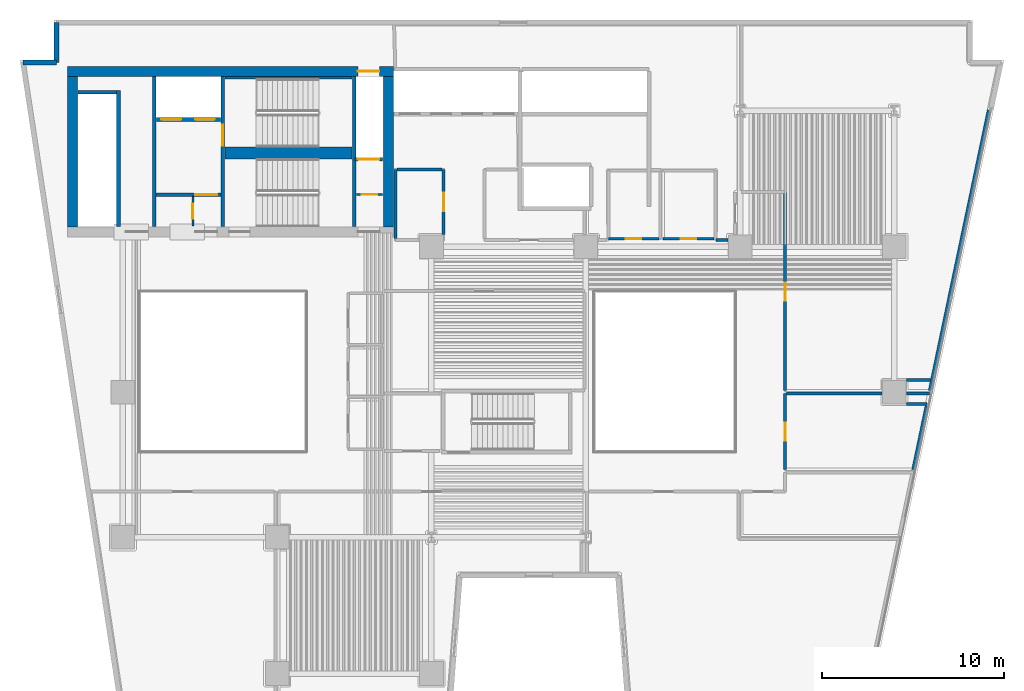
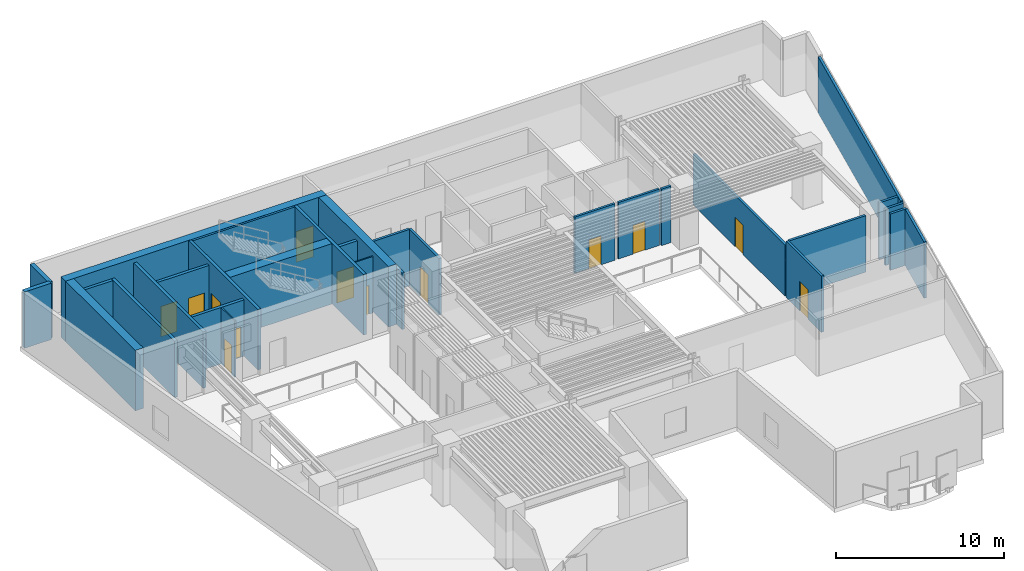
# One storey, part 5 of 12: 31 walls, 13 doors, 13 openings.
"""IFC4 building model written with IfcOpenShell, lengths in metres."""

from ifc_helpers import new_model, si_unit, direction, frame, frame_2d, origin, place, context, subcontext, project, spatial, rectangle, extrude, material, layer, layer_set, type_object, element, fill, save


model = new_model("IFC4")

# Units and contexts
model_context = context("Model", 3, precision=1e-05, world=origin(), true_north=direction((0.0, 1.0)))
body_context = subcontext(model_context, "Body", "Model", "MODEL_VIEW")
ifc_project = project(units=[si_unit("LENGTHUNIT", "METRE"), si_unit("AREAUNIT", "SQUARE_METRE"), si_unit("VOLUMEUNIT", "CUBIC_METRE"), si_unit("PLANEANGLEUNIT", "RADIAN"), si_unit("MASSUNIT", "GRAM", prefix="KILO")], contexts=[model_context])

# Site, building, storey
site_placement = place(None, origin())
site = spatial("IfcSite", under=ifc_project, at=site_placement, CompositionType="ELEMENT")
building_placement = place(site_placement, origin())
building = spatial("IfcBuilding", under=site, at=building_placement, Name="Caeloran Harvest Quay", CompositionType="ELEMENT")
storey_placement = place(building_placement, frame((0.0, 0.0, 31.39990234375)))
storey = spatial("IfcBuildingStorey", under=building, at=storey_placement, Name="L07", CompositionType="ELEMENT", Elevation=31.39990234375)

# Walls
ifc_material_1 = material(Name="Precast concrete C50/60", Category="concrete")
ifc_layer_1 = layer(ifc_material_1, 0.280029296875, Name="Precast concrete C50/60")
ifc_layer_set_1 = layer_set([ifc_layer_1], Name="Precast concrete C50/60")
wall_type_1 = type_object("IfcWallType", Name="ENV-WALL-EW-280", PredefinedType="STANDARD", material=ifc_layer_set_1)
wall_1_placement = place(storey_placement, frame((2.99755859375, 41.159912109375, 0.0), z_axis=(0.0, 0.0, 1.0), x_axis=(1.0, 0.0, 0.0)))
element("IfcWall", 1, at=wall_1_placement, inside=storey, type_object=wall_type_1, Name="L07 Exterior Precast Concrete Facade Wall 4", PredefinedType="STANDARD", context=body_context, shape_type="SweptSolid", body=[
    extrude(rectangle(XDim=1.842529296875, YDim=0.280029296875, at=frame_2d((0.92138671875, 0.0))), origin(), (0.0, 0.0, 1.0), 4.10009765625),
])
wall_2_placement = place(storey_placement, frame((4.840087890625, 41.159912109375, 0.0), z_axis=(0.0, 0.0, 1.0), x_axis=(0.0, 1.0, 0.0)))
element("IfcWall", 2, at=wall_2_placement, inside=storey, type_object=wall_type_1, Name="L07 Exterior Precast Concrete Facade Wall 5", PredefinedType="STANDARD", context=body_context, shape_type="SweptSolid", body=[
    extrude(rectangle(XDim=2.2001953125, YDim=0.280029296875, at=frame_2d((1.10009765625, 0.0))), origin(), (0.0, 0.0, 1.0), 4.10009765625),
])

# Wall, opening, door
ifc_material_2 = material(Name="Fire-Resisting Gypsum Core Riser Partition", Category="gypsum")
ifc_layer_2 = layer(ifc_material_2, 0.10009765625, Name="Fire-Resisting Gypsum Core Riser Partition")
ifc_layer_set_2 = layer_set([ifc_layer_2], Name="Fire-Resisting Gypsum Core Riser Partition")
wall_type_2 = type_object("IfcWallType", Name="INT-WALL-PW-100", PredefinedType="PARTITIONING", material=ifc_layer_set_2)
wall_3_placement = place(storey_placement, frame((12.360107421875, 32.159912109375, 0.0), z_axis=(0.0, 0.0, 1.0), x_axis=(0.0, 1.0, 0.0)))
wall_3 = element("IfcWall", 3, at=wall_3_placement, inside=storey, type_object=wall_type_2, Name="L07 Core Store Partition Wall", PredefinedType="PARTITIONING", context=body_context, shape_type="SweptSolid", body=[
    extrude(rectangle(XDim=1.6201171875, YDim=0.10009765625, at=frame_2d((0.81005859375, 0.0))), origin(), (0.0, 0.0, 1.0), 4.10009765625),
])
opening_1_placement = place(wall_3_placement, frame((0.3798828125, 0.0, 0.0)))
opening_1 = element("IfcOpeningElement", 4, at=opening_1_placement, cuts=wall_3, Name="Opening SV-01", PredefinedType="OPENING", context=body_context, shape_type="SweptSolid", body=[
    extrude(rectangle(XDim=0.85009765625, YDim=2.10009765625, at=frame_2d((0.425048828125, 1.050048828125))), frame((0.0, 0.06005859375, 0.0), z_axis=(0.0, -1.0, 0.0), x_axis=(1.0, 0.0, 0.0)), (0.0, 0.0, 1.0), 0.1201171875),
])
ifc_material_3 = material(Name="Galvanized Painted Steel", Category="steel")
door_type_1 = type_object("IfcDoorType", Name="INTDOOR-SV-01", OperationType="NOTDEFINED", PredefinedType="DOOR", material=ifc_material_3)
door_1_placement = place(opening_1_placement, origin())
door_1 = element("IfcDoor", 5, at=door_1_placement, inside=storey, type_object=door_type_1, Name="L07 Core Service Room Access Door", OperationType="SINGLE_SWING_LEFT", OverallHeight=2.10009765625, OverallWidth=0.85009765625, PredefinedType="DOOR", context=body_context, shape_type="SweptSolid", body=[
    extrude(rectangle(XDim=0.85009765625, YDim=2.10009765625, at=frame_2d((0.425048828125, 1.050048828125))), frame((0.0, 0.02490234375, 0.0), z_axis=(0.0, -1.0, 0.0), x_axis=(1.0, 0.0, 0.0)), (0.0, 0.0, 1.0), 0.050048828125),
])
fill(opening_1, door_1)

wall_4_placement = place(storey_placement, frame((21.3798828125, 33.889892578125, 0.0), z_axis=(0.0, 0.0, 1.0), x_axis=(1.0, 0.0, 0.0)))
wall_4 = element("IfcWall", 6, at=wall_4_placement, inside=storey, type_object=wall_type_2, Name="L07 Cleaner Store Partition Wall", PredefinedType="PARTITIONING", context=body_context, shape_type="SweptSolid", body=[
    extrude(rectangle(XDim=1.420166015625, YDim=0.10009765625, at=frame_2d((0.7099609375, 0.0))), origin(), (0.0, 0.0, 1.0), 4.10009765625),
])
opening_2_placement = place(wall_4_placement, frame((0.280029296875, 0.0, 0.0)))
opening_2 = element("IfcOpeningElement", 7, at=opening_2_placement, cuts=wall_4, Name="Opening SV-01", PredefinedType="OPENING", context=body_context, shape_type="SweptSolid", body=[
    extrude(rectangle(XDim=0.85009765625, YDim=2.10009765625, at=frame_2d((0.425048828125, 1.050048828125))), frame((0.0, 0.06005859375, 0.0), z_axis=(0.0, -1.0, 0.0), x_axis=(1.0, 0.0, 0.0)), (0.0, 0.0, 1.0), 0.1201171875),
])
door_2_placement = place(opening_2_placement, origin())
door_2 = element("IfcDoor", 8, at=door_2_placement, inside=storey, type_object=door_type_1, Name="L07 Cleaner Supply Store Access Door", OperationType="SINGLE_SWING_RIGHT", OverallHeight=2.10009765625, OverallWidth=0.85009765625, PredefinedType="DOOR", context=body_context, shape_type="SweptSolid", body=[
    extrude(rectangle(XDim=0.85009765625, YDim=2.10009765625, at=frame_2d((0.425048828125, 1.050048828125))), frame((0.0, 0.02490234375, 0.0), z_axis=(0.0, -1.0, 0.0), x_axis=(1.0, 0.0, 0.0)), (0.0, 0.0, 1.0), 0.050048828125),
])
fill(opening_2, door_2)

ifc_material_4 = material(Name="Autoclaved Aerated Concrete Blockwork and Plasterboard", Category="masonry")
ifc_layer_3 = layer(ifc_material_4, 0.14990234375, Name="Autoclaved Aerated Concrete Blockwork and Plasterboard")
ifc_layer_set_3 = layer_set([ifc_layer_3], Name="Autoclaved Aerated Concrete Blockwork and Plasterboard")
wall_type_3 = type_object("IfcWallType", Name="INT-WALL-PW-150", PredefinedType="PARTITIONING", material=ifc_layer_set_3)
wall_5_placement = place(storey_placement, frame((38.02001953125, 31.449951171875, 0.0), z_axis=(0.0, 0.0, 1.0), x_axis=(-1.0, 0.0, 0.0)))
wall_5 = element("IfcWall", 9, at=wall_5_placement, inside=storey, type_object=wall_type_3, Name="L07 Core Telemetry West Room Partition Wall", PredefinedType="PARTITIONING", context=body_context, shape_type="SweptSolid", body=[
    extrude(rectangle(XDim=2.77001953125, YDim=0.14990234375, at=frame_2d((1.385009765625, 0.0))), origin(), (0.0, 0.0, 1.0), 4.10009765625),
])
opening_3_placement = place(wall_5_placement, frame((0.9599609375, 0.0, 0.0)))
opening_3 = element("IfcOpeningElement", 10, at=opening_3_placement, cuts=wall_5, Name="Opening SV-01", PredefinedType="OPENING", context=body_context, shape_type="SweptSolid", body=[
    extrude(rectangle(XDim=0.85009765625, YDim=2.10009765625, at=frame_2d((0.425048828125, 1.050048828125))), frame((0.0, 0.0849609375, 0.0), z_axis=(0.0, -1.0, 0.0), x_axis=(1.0, 0.0, 0.0)), (0.0, 0.0, 1.0), 0.169921875),
])
door_3_placement = place(opening_3_placement, origin())
door_3 = element("IfcDoor", 11, at=door_3_placement, inside=storey, type_object=door_type_1, Name="L07 Core Telemetry West Room Access Door", OperationType="SINGLE_SWING_LEFT", OverallHeight=2.10009765625, OverallWidth=0.85009765625, PredefinedType="DOOR", context=body_context, shape_type="SweptSolid", body=[
    extrude(rectangle(XDim=0.85009765625, YDim=2.10009765625, at=frame_2d((0.425048828125, 1.050048828125))), frame((0.0, 0.02490234375, 0.0), z_axis=(0.0, -1.0, 0.0), x_axis=(1.0, 0.0, 0.0)), (0.0, 0.0, 1.0), 0.050048828125),
])
fill(opening_3, door_3)

wall_6_placement = place(storey_placement, frame((41.070068359375, 31.449951171875, 0.0), z_axis=(0.0, 0.0, 1.0), x_axis=(-1.0, 0.0, 0.0)))
wall_6 = element("IfcWall", 12, at=wall_6_placement, inside=storey, type_object=wall_type_3, Name="L07 Core Metering East Room Partition Wall", PredefinedType="PARTITIONING", context=body_context, shape_type="SweptSolid", body=[
    extrude(rectangle(XDim=2.820068359375, YDim=0.14990234375, at=frame_2d((1.41015625, 0.0))), origin(), (0.0, 0.0, 1.0), 4.10009765625),
])
opening_4_placement = place(wall_6_placement, frame((0.985107421875, 0.0, 0.0)))
opening_4 = element("IfcOpeningElement", 13, at=opening_4_placement, cuts=wall_6, Name="Opening SV-01", PredefinedType="OPENING", context=body_context, shape_type="SweptSolid", body=[
    extrude(rectangle(XDim=0.85009765625, YDim=2.10009765625, at=frame_2d((0.425048828125, 1.050048828125))), frame((0.0, 0.0849609375, 0.0), z_axis=(0.0, -1.0, 0.0), x_axis=(1.0, 0.0, 0.0)), (0.0, 0.0, 1.0), 0.169921875),
])
door_4_placement = place(opening_4_placement, origin())
door_4 = element("IfcDoor", 14, at=door_4_placement, inside=storey, type_object=door_type_1, Name="L07 Core Metering East Room Access Door", OperationType="SINGLE_SWING_RIGHT", OverallHeight=2.10009765625, OverallWidth=0.85009765625, PredefinedType="DOOR", context=body_context, shape_type="SweptSolid", body=[
    extrude(rectangle(XDim=0.85009765625, YDim=2.10009765625, at=frame_2d((0.425048828125, 1.050048828125))), frame((0.0, 0.02490234375, 0.0), z_axis=(0.0, -1.0, 0.0), x_axis=(1.0, 0.0, 0.0)), (0.0, 0.0, 1.0), 0.050048828125),
])
fill(opening_4, door_4)

ifc_material_5 = material(Name="Autoclaved Aerated Concrete Blockwork", Category="masonry")
ifc_layer_4 = layer(ifc_material_5, 0.1650390625, Name="Autoclaved Aerated Concrete Blockwork")
ifc_layer_set_4 = layer_set([ifc_layer_4], Name="Autoclaved Aerated Concrete Blockwork")
wall_type_4 = type_object("IfcWallType", Name="INT-WALL-PW-165", PredefinedType="PARTITIONING", material=ifc_layer_set_4)
wall_7_placement = place(storey_placement, frame((44.97998046875, 18.72998046875, 0.0), z_axis=(0.0, 0.0, 1.0), x_axis=(0.0, 1.0, 0.0)))
wall_7 = element("IfcWall", 15, at=wall_7_placement, inside=storey, type_object=wall_type_4, Name="Harvest Cold Buffer Laboratory Partition Wall", PredefinedType="PARTITIONING", context=body_context, shape_type="SweptSolid", body=[
    extrude(rectangle(XDim=4.18994140625, YDim=0.1650390625, at=frame_2d((2.094970703125, 0.0))), origin(), (0.0, 0.0, 1.0), 4.10009765625),
])
opening_5_placement = place(wall_7_placement, frame((1.594970703125, 0.0, 0.0)))
opening_5 = element("IfcOpeningElement", 16, at=opening_5_placement, cuts=wall_7, Name="Opening ID-01", PredefinedType="OPENING", context=body_context, shape_type="SweptSolid", body=[
    extrude(rectangle(XDim=1.0, YDim=2.14990234375, at=frame_2d((0.5, 1.074951171875))), frame((0.0, 0.092529296875, 0.0), z_axis=(0.0, -1.0, 0.0), x_axis=(1.0, 0.0, 0.0)), (0.0, 0.0, 1.0), 0.18505859375),
])
ifc_material_6 = material(Name="FSC Solid-Core Ash Timber and Acoustic Seal", Category="wood")
door_type_2 = type_object("IfcDoorType", Name="INTDOOR-ID-01", OperationType="NOTDEFINED", PredefinedType="DOOR", material=ifc_material_6)
door_5_placement = place(opening_5_placement, origin())
door_5 = element("IfcDoor", 17, at=door_5_placement, inside=storey, type_object=door_type_2, Name="Harvest Cold Buffer Laboratory Access Door", OperationType="SINGLE_SWING_RIGHT", OverallHeight=2.14990234375, OverallWidth=1.0, PredefinedType="DOOR", context=body_context, shape_type="SweptSolid", body=[
    extrude(rectangle(XDim=1.0, YDim=2.14990234375, at=frame_2d((0.5, 1.074951171875))), frame((0.0, 0.02490234375, 0.0), z_axis=(0.0, -1.0, 0.0), x_axis=(1.0, 0.0, 0.0)), (0.0, 0.0, 1.0), 0.050048828125),
])
fill(opening_5, door_5)

# Walls
wall_8_placement = place(storey_placement, frame((45.0673828125, 22.919921875, 0.0), z_axis=(0.0, 0.0, 1.0), x_axis=(1.0, 0.0, 0.0)))
element("IfcWall", 18, at=wall_8_placement, inside=storey, type_object=wall_type_4, Name="Harvest Cold Buffer Laboratory Partition Wall", PredefinedType="PARTITIONING", context=body_context, shape_type="SweptSolid", body=[
    extrude(rectangle(XDim=5.257568359375, YDim=0.1650390625, at=frame_2d((2.62890625, 0.0))), origin(), (0.0, 0.0, 1.0), 4.10009765625),
])
wall_9_placement = place(storey_placement, frame((51.675048828125, 22.3349609375, 0.0), z_axis=(0.0, 0.0, 1.0), x_axis=(1.0, 0.0, 0.0)))
element("IfcWall", 19, at=wall_9_placement, inside=storey, type_object=wall_type_4, Name="Harvest Cold Buffer Laboratory Partition Wall", PredefinedType="PARTITIONING", context=body_context, shape_type="SweptSolid", body=[
    extrude(rectangle(XDim=1.12841796875, YDim=0.1650390625, at=frame_2d((0.564208984375, 0.0))), origin(), (0.0, 0.0, 1.0), 4.10009765625),
])
wall_10_placement = place(storey_placement, frame((51.675048828125, 22.919921875, 0.0), z_axis=(0.0, 0.0, 1.0), x_axis=(1.0, 0.0, 0.0)))
element("IfcWall", 20, at=wall_10_placement, inside=storey, type_object=wall_type_4, Name="Harvest Cold Buffer Laboratory Partition Wall", PredefinedType="PARTITIONING", context=body_context, shape_type="SweptSolid", body=[
    extrude(rectangle(XDim=1.25146484375, YDim=0.1650390625, at=frame_2d((0.625732421875, 0.0))), origin(), (0.0, 0.0, 1.0), 4.10009765625),
])
wall_11_placement = place(storey_placement, frame((52.769775390625, 22.24755859375, 0.0), z_axis=(0.0, 0.0, 1.0), x_axis=(-0.205538051866, -0.978649124679, 0.0)))
element("IfcWall", 21, at=wall_11_placement, inside=storey, type_object=wall_type_4, Name="Harvest Cold Buffer Laboratory Partition Wall", PredefinedType="PARTITIONING", context=body_context, shape_type="SweptSolid", body=[
    extrude(rectangle(XDim=3.59423828125, YDim=0.1650390625, at=frame_2d((1.797119140625, 0.0))), origin(), (0.0, 0.0, 1.0), 4.10009765625),
])

# Wall, opening, door
wall_12_placement = place(storey_placement, frame((26.169921875, 35.27001953125, 0.0), z_axis=(0.0, 0.0, 1.0), x_axis=(0.0, -1.0, 0.0)))
wall_12 = element("IfcWall", 22, at=wall_12_placement, inside=storey, type_object=wall_type_4, Name="Leafy-Greens Hydroponic Growing Hall 9 Partition Wall", PredefinedType="PARTITIONING", context=body_context, shape_type="SweptSolid", body=[
    extrude(rectangle(XDim=3.594970703125, YDim=0.1650390625, at=frame_2d((1.79736328125, 0.0))), origin(), (0.0, 0.0, 1.0), 4.10009765625),
])
opening_6_placement = place(wall_12_placement, frame((1.297607421875, 0.0, 0.0)))
opening_6 = element("IfcOpeningElement", 23, at=opening_6_placement, cuts=wall_12, Name="Opening ID-01", PredefinedType="OPENING", context=body_context, shape_type="SweptSolid", body=[
    extrude(rectangle(XDim=1.0, YDim=2.14990234375, at=frame_2d((0.5, 1.074951171875))), frame((0.0, 0.092529296875, 0.0), z_axis=(0.0, -1.0, 0.0), x_axis=(1.0, 0.0, 0.0)), (0.0, 0.0, 1.0), 0.18505859375),
])
door_6_placement = place(opening_6_placement, origin())
door_6 = element("IfcDoor", 24, at=door_6_placement, inside=storey, type_object=door_type_2, Name="Leafy-Greens Hydroponic Growing Hall 9 Access Door", OperationType="SINGLE_SWING_LEFT", OverallHeight=2.14990234375, OverallWidth=1.0, PredefinedType="DOOR", context=body_context, shape_type="SweptSolid", body=[
    extrude(rectangle(XDim=1.0, YDim=2.14990234375, at=frame_2d((0.5, 1.074951171875))), frame((0.0, 0.02490234375, 0.0), z_axis=(0.0, -1.0, 0.0), x_axis=(1.0, 0.0, 0.0)), (0.0, 0.0, 1.0), 0.050048828125),
])
fill(opening_6, door_6)

# Walls
wall_13_placement = place(storey_placement, frame((23.510009765625, 31.467529296875, 0.0), z_axis=(0.0, 0.0, 1.0), x_axis=(0.0, 1.0, 0.0)))
element("IfcWall", 25, at=wall_13_placement, inside=storey, type_object=wall_type_4, Name="Leafy-Greens Hydroponic Growing Hall 9 Partition Wall", PredefinedType="PARTITIONING", context=body_context, shape_type="SweptSolid", body=[
    extrude(rectangle(XDim=3.804443359375, YDim=0.1650390625, at=frame_2d((1.90234375, 0.0))), origin(), (0.0, 0.0, 1.0), 4.10009765625),
])
wall_14_placement = place(storey_placement, frame((23.597412109375, 35.27001953125, 0.0), z_axis=(0.0, 0.0, 1.0), x_axis=(1.0, 0.0, 0.0)))
element("IfcWall", 26, at=wall_14_placement, inside=storey, type_object=wall_type_4, Name="Leafy-Greens Hydroponic Growing Hall 9 Partition Wall", PredefinedType="PARTITIONING", context=body_context, shape_type="SweptSolid", body=[
    extrude(rectangle(XDim=2.485107421875, YDim=0.1650390625, at=frame_2d((1.24267578125, 0.0))), origin(), (0.0, 0.0, 1.0), 4.10009765625),
])
wall_15_placement = place(storey_placement, frame((56.1943359375, 38.547607421875, 0.0), z_axis=(0.0, 0.0, 1.0), x_axis=(-0.205583069276, -0.978639668942, 0.0)))
element("IfcWall", 27, at=wall_15_placement, inside=storey, type_object=wall_type_4, Name="Aeroponic Root-Mist Growing Chamber 10 Partition Wall", PredefinedType="PARTITIONING", context=body_context, shape_type="SweptSolid", body=[
    extrude(rectangle(XDim=15.80517578125, YDim=0.1650390625, at=frame_2d((7.902587890625, 0.0))), origin(), (0.0, 0.0, 1.0), 4.10009765625),
])
wall_16_placement = place(storey_placement, frame((52.978515625, 23.6650390625, 0.0), z_axis=(0.0, 0.0, 1.0), x_axis=(-1.0, 0.0, 0.0)))
element("IfcWall", 28, at=wall_16_placement, inside=storey, type_object=wall_type_4, Name="Aeroponic Root-Mist Growing Chamber 10 Partition Wall", PredefinedType="PARTITIONING", context=body_context, shape_type="SweptSolid", body=[
    extrude(rectangle(XDim=1.303466796875, YDim=0.1650390625, at=frame_2d((0.65185546875, 0.0))), origin(), (0.0, 0.0, 1.0), 4.10009765625),
])

# Wall, opening, door
wall_17_placement = place(storey_placement, frame((44.97998046875, 23.080078125, 0.0), z_axis=(0.0, 0.0, 1.0), x_axis=(0.0, 1.0, 0.0)))
wall_17 = element("IfcWall", 29, at=wall_17_placement, inside=storey, type_object=wall_type_4, Name="Aeroponic Root-Mist Growing Chamber 10 Partition Wall", PredefinedType="PARTITIONING", context=body_context, shape_type="SweptSolid", body=[
    extrude(rectangle(XDim=10.919921875, YDim=0.1650390625, at=frame_2d((5.4599609375, 0.0))), origin(), (0.0, 0.0, 1.0), 3.72509765625),
])
opening_7_placement = place(wall_17_placement, frame((4.9599609375, 0.0, 0.0)))
opening_7 = element("IfcOpeningElement", 30, at=opening_7_placement, cuts=wall_17, Name="Opening ID-01", PredefinedType="OPENING", context=body_context, shape_type="SweptSolid", body=[
    extrude(rectangle(XDim=1.0, YDim=2.14990234375, at=frame_2d((0.5, 1.074951171875))), frame((0.0, 0.092529296875, 0.0), z_axis=(0.0, -1.0, 0.0), x_axis=(1.0, 0.0, 0.0)), (0.0, 0.0, 1.0), 0.18505859375),
])
door_7_placement = place(opening_7_placement, origin())
door_7 = element("IfcDoor", 31, at=door_7_placement, inside=storey, type_object=door_type_2, Name="Aeroponic Root-Mist Growing Chamber 10 Access Door", OperationType="SINGLE_SWING_RIGHT", OverallHeight=2.14990234375, OverallWidth=1.0, PredefinedType="DOOR", context=body_context, shape_type="SweptSolid", body=[
    extrude(rectangle(XDim=1.0, YDim=2.14990234375, at=frame_2d((0.5, 1.074951171875))), frame((0.0, 0.02490234375, 0.0), z_axis=(0.0, -1.0, 0.0), x_axis=(1.0, 0.0, 0.0)), (0.0, 0.0, 1.0), 0.050048828125),
])
fill(opening_7, door_7)

# Walls
wall_18_placement = place(storey_placement, frame((41.824951171875, 31.3798828125, 0.0), z_axis=(0.0, 0.0, 1.0), x_axis=(-1.0, 0.0, 0.0)))
element("IfcWall", 32, at=wall_18_placement, inside=storey, type_object=wall_type_4, Name="Seedling Nursery Room 11 Partition Wall", PredefinedType="PARTITIONING", context=body_context, shape_type="SweptSolid", body=[
    extrude(rectangle(XDim=0.660400390625, YDim=0.1650390625, at=frame_2d((0.330078125, 0.0))), origin(), (0.0, 0.0, 1.0), 4.10009765625),
])
ifc_material_7 = material(Name="Concrete C50/60", Category="concrete")
ifc_layer_5 = layer(ifc_material_7, 0.199951171875, Name="Concrete C50/60")
ifc_layer_set_5 = layer_set([ifc_layer_5], Name="Concrete C50/60")
wall_type_5 = type_object("IfcWallType", Name="INT-WALL-SW-200", PredefinedType="PARTITIONING", material=ifc_layer_set_5)
wall_19_placement = place(storey_placement, frame((8.260009765625, 32.1201171875, 0.0), z_axis=(0.0, 0.0, 1.0), x_axis=(0.0, 1.0, 0.0)))
element("IfcWall", 33, at=wall_19_placement, inside=storey, type_object=wall_type_5, Name="L07 Bank 3 Lift Shaft Wall", PredefinedType="PARTITIONING", context=body_context, shape_type="SweptSolid", body=[
    extrude(rectangle(XDim=7.5, YDim=0.199951171875, at=frame_2d((3.75, 0.0))), origin(), (0.0, 0.0, 1.0), 4.10009765625),
])
wall_20_placement = place(storey_placement, frame((6.02001953125, 39.52001953125, 0.0), z_axis=(0.0, 0.0, 1.0), x_axis=(1.0, 0.0, 0.0)))
element("IfcWall", 34, at=wall_20_placement, inside=storey, type_object=wall_type_5, Name="L07 Bank 3 Lift Shaft North End Wall", PredefinedType="PARTITIONING", context=body_context, shape_type="SweptSolid", body=[
    extrude(rectangle(XDim=2.119873046875, YDim=0.199951171875, at=frame_2d((1.06005859375, 0.0))), origin(), (0.0, 0.0, 1.0), 4.10009765625),
])
wall_21_placement = place(storey_placement, frame((10.219970703125, 32.1201171875, 0.0), z_axis=(0.0, 0.0, 1.0), x_axis=(0.0, 1.0, 0.0)))
element("IfcWall", 35, at=wall_21_placement, inside=storey, type_object=wall_type_5, Name="L07 Core Lobby Compartment Wall", PredefinedType="PARTITIONING", context=body_context, shape_type="SweptSolid", body=[
    extrude(rectangle(XDim=8.259765625, YDim=0.199951171875, at=frame_2d((4.1298828125, 0.0))), origin(), (0.0, 0.0, 1.0), 4.10009765625),
])

# Wall, openings, doors
wall_22_placement = place(storey_placement, frame((10.340087890625, 38.02001953125, 0.0), z_axis=(0.0, 0.0, 1.0), x_axis=(1.0, 0.0, 0.0)))
wall_22 = element("IfcWall", 36, at=wall_22_placement, inside=storey, type_object=wall_type_5, Name="L07 Firefighting Lift Shaft Wall", PredefinedType="PARTITIONING", context=body_context, shape_type="SweptSolid", body=[
    extrude(rectangle(XDim=3.539794921875, YDim=0.199951171875, at=frame_2d((1.77001953125, 0.0))), origin(), (0.0, 0.0, 1.0), 4.10009765625),
])
opening_8_placement = place(wall_22_placement, frame((0.284912109375, 0.0, 0.0)))
opening_8 = element("IfcOpeningElement", 37, at=opening_8_placement, cuts=wall_22, Name="Opening LD-01", PredefinedType="OPENING", context=body_context, shape_type="SweptSolid", body=[
    extrude(rectangle(XDim=1.10009765625, YDim=2.199951171875, at=frame_2d((0.550048828125, 1.10009765625))), frame((0.0, 0.10986328125, 0.0), z_axis=(0.0, -1.0, 0.0), x_axis=(1.0, 0.0, 0.0)), (0.0, 0.0, 1.0), 0.219970703125),
])
opening_9_placement = place(wall_22_placement, frame((2.135009765625, 0.0, 0.0)))
opening_9 = element("IfcOpeningElement", 38, at=opening_9_placement, cuts=wall_22, Name="Opening LD-01", PredefinedType="OPENING", context=body_context, shape_type="SweptSolid", body=[
    extrude(rectangle(XDim=1.10009765625, YDim=2.199951171875, at=frame_2d((0.550048828125, 1.10009765625))), frame((0.0, 0.10986328125, 0.0), z_axis=(0.0, -1.0, 0.0), x_axis=(1.0, 0.0, 0.0)), (0.0, 0.0, 1.0), 0.219970703125),
])
ifc_material_8 = material(Name="Stainless Steel Grade 316", Category="steel")
door_type_3 = type_object("IfcDoorType", Name="INTDOOR-LD-01", OperationType="NOTDEFINED", PredefinedType="DOOR", material=ifc_material_8)
door_8_placement = place(opening_8_placement, origin())
door_8 = element("IfcDoor", 39, at=door_8_placement, inside=storey, type_object=door_type_3, Name="Lift FF-1 Sliding Landing Door (L07)", OperationType="DOUBLE_DOOR_SLIDING", OverallHeight=2.199951171875, OverallWidth=1.10009765625, PredefinedType="DOOR", context=body_context, shape_type="SweptSolid", body=[
    extrude(rectangle(XDim=1.10009765625, YDim=2.199951171875, at=frame_2d((0.550048828125, 1.10009765625))), frame((0.0, 0.02490234375, 0.0), z_axis=(0.0, -1.0, 0.0), x_axis=(1.0, 0.0, 0.0)), (0.0, 0.0, 1.0), 0.050048828125),
])
fill(opening_8, door_8)
door_9_placement = place(opening_9_placement, origin())
door_9 = element("IfcDoor", 40, at=door_9_placement, inside=storey, type_object=door_type_3, Name="Lift FF-2 Sliding Landing Door (L07)", OperationType="DOUBLE_DOOR_SLIDING", OverallHeight=2.199951171875, OverallWidth=1.10009765625, PredefinedType="DOOR", context=body_context, shape_type="SweptSolid", body=[
    extrude(rectangle(XDim=1.10009765625, YDim=2.199951171875, at=frame_2d((0.550048828125, 1.10009765625))), frame((0.0, 0.02490234375, 0.0), z_axis=(0.0, -1.0, 0.0), x_axis=(1.0, 0.0, 0.0)), (0.0, 0.0, 1.0), 0.050048828125),
])
fill(opening_9, door_9)

# Wall, opening, door
wall_23_placement = place(storey_placement, frame((10.340087890625, 33.8798828125, 0.0), z_axis=(0.0, 0.0, 1.0), x_axis=(1.0, 0.0, 0.0)))
wall_23 = element("IfcWall", 41, at=wall_23_placement, inside=storey, type_object=wall_type_5, Name="L07 Firefighting Lift Lobby Enclosure Wall", PredefinedType="PARTITIONING", context=body_context, shape_type="SweptSolid", body=[
    extrude(rectangle(XDim=3.559814453125, YDim=0.199951171875, at=frame_2d((1.77978515625, 0.0))), origin(), (0.0, 0.0, 1.0), 4.10009765625),
])
opening_10_placement = place(wall_23_placement, frame((2.14990234375, 0.0, 0.0)))
opening_10 = element("IfcOpeningElement", 42, at=opening_10_placement, cuts=wall_23, Name="Opening FD-01", PredefinedType="OPENING", context=body_context, shape_type="SweptSolid", body=[
    extrude(rectangle(XDim=1.199951171875, YDim=2.199951171875, at=frame_2d((0.60009765625, 1.10009765625))), frame((0.0, 0.10986328125, 0.0), z_axis=(0.0, -1.0, 0.0), x_axis=(1.0, 0.0, 0.0)), (0.0, 0.0, 1.0), 0.219970703125),
])
ifc_material_9 = material(Name="Steel", Category="steel")
door_type_4 = type_object("IfcDoorType", Name="INTDOOR-FD-01", OperationType="NOTDEFINED", PredefinedType="DOOR", material=ifc_material_9)
door_10_placement = place(opening_10_placement, origin())
door_10 = element("IfcDoor", 43, at=door_10_placement, inside=storey, type_object=door_type_4, Name="L07 Firefighting Lift Lobby Smoke-Seal Fire Door", OperationType="SINGLE_SWING_LEFT", OverallHeight=2.199951171875, OverallWidth=1.199951171875, PredefinedType="DOOR", context=body_context, shape_type="SweptSolid", body=[
    extrude(rectangle(XDim=1.199951171875, YDim=2.199951171875, at=frame_2d((0.60009765625, 1.10009765625))), frame((0.0, 0.02490234375, 0.0), z_axis=(0.0, -1.0, 0.0), x_axis=(1.0, 0.0, 0.0)), (0.0, 0.0, 1.0), 0.050048828125),
])
fill(opening_10, door_10)

wall_24_placement = place(storey_placement, frame((21.300048828125, 35.820068359375, 0.0), z_axis=(0.0, 0.0, 1.0), x_axis=(1.0, 0.0, 0.0)))
wall_24 = element("IfcWall", 44, at=wall_24_placement, inside=storey, type_object=wall_type_5, Name="L07 Service Lift SV-2 Shaft Wall", PredefinedType="PARTITIONING", context=body_context, shape_type="SweptSolid", body=[
    extrude(rectangle(XDim=1.5, YDim=0.199951171875, at=frame_2d((0.75, 0.0))), origin(), (0.0, 0.0, 1.0), 4.10009765625),
])
opening_11_placement = place(wall_24_placement, frame((0.14501953125, 0.0, 0.0)))
opening_11 = element("IfcOpeningElement", 45, at=opening_11_placement, cuts=wall_24, Name="Opening LD-02", PredefinedType="OPENING", context=body_context, shape_type="SweptSolid", body=[
    extrude(rectangle(XDim=1.179931640625, YDim=2.25, at=frame_2d((0.58984375, 1.125))), frame((0.0, 0.10986328125, 0.0), z_axis=(0.0, -1.0, 0.0), x_axis=(1.0, 0.0, 0.0)), (0.0, 0.0, 1.0), 0.219970703125),
])
door_type_5 = type_object("IfcDoorType", Name="INTDOOR-LD-02", OperationType="NOTDEFINED", PredefinedType="DOOR", material=ifc_material_8)
door_11_placement = place(opening_11_placement, origin())
door_11 = element("IfcDoor", 46, at=door_11_placement, inside=storey, type_object=door_type_5, Name="Lift SV-2 Sliding Landing Door (L07)", OperationType="DOUBLE_DOOR_SLIDING", OverallHeight=2.25, OverallWidth=1.179931640625, PredefinedType="DOOR", context=body_context, shape_type="SweptSolid", body=[
    extrude(rectangle(XDim=1.179931640625, YDim=2.25, at=frame_2d((0.58984375, 1.125))), frame((0.0, 0.02490234375, 0.0), z_axis=(0.0, -1.0, 0.0), x_axis=(1.0, 0.0, 0.0)), (0.0, 0.0, 1.0), 0.050048828125),
])
fill(opening_11, door_11)

ifc_material_10 = material(Name="Concrete C80/95", Category="concrete")
ifc_layer_6 = layer(ifc_material_10, 0.550048828125, Name="Concrete C80/95")
ifc_layer_set_6 = layer_set([ifc_layer_6], Name="Concrete C80/95")
wall_type_6 = type_object("IfcWallType", Name="STR-WALL-CW-550", PredefinedType="SHEAR", material=ifc_layer_set_6)
wall_25_placement = place(storey_placement, frame((5.449951171875, 40.675048828125, 0.0), z_axis=(0.0, 0.0, 1.0), x_axis=(1.0, 0.0, 0.0)))
wall_25 = element("IfcWall", 47, at=wall_25_placement, inside=storey, type_object=wall_type_6, Name="L07 Rear Core Shear Wall N", PredefinedType="SHEAR", context=body_context, shape_type="SweptSolid", body=[
    extrude(rectangle(XDim=17.949951171875, YDim=0.550048828125, at=frame_2d((8.97509765625, 0.0))), origin(), (0.0, 0.0, 1.0), 4.400146484375),
])
opening_12_placement = place(wall_25_placement, frame((15.9951171875, 0.0, 0.0)))
opening_12 = element("IfcOpeningElement", 48, at=opening_12_placement, cuts=wall_25, Name="Opening LD-02", PredefinedType="OPENING", context=body_context, shape_type="SweptSolid", body=[
    extrude(rectangle(XDim=1.179931640625, YDim=2.25, at=frame_2d((0.58984375, 1.125))), frame((0.0, 0.28515625, 0.0), z_axis=(0.0, -1.0, 0.0), x_axis=(1.0, 0.0, 0.0)), (0.0, 0.0, 1.0), 0.570068359375),
])
door_12_placement = place(opening_12_placement, origin())
door_12 = element("IfcDoor", 49, at=door_12_placement, inside=storey, type_object=door_type_5, Name="Lift SV-1 Sliding Landing Door (L07)", OperationType="DOUBLE_DOOR_SLIDING", OverallHeight=2.25, OverallWidth=1.179931640625, PredefinedType="DOOR", context=body_context, shape_type="SweptSolid", body=[
    extrude(rectangle(XDim=1.179931640625, YDim=2.25, at=frame_2d((0.58984375, 1.125))), frame((0.0, 0.02490234375, 0.0), z_axis=(0.0, -1.0, 0.0), x_axis=(1.0, 0.0, 0.0)), (0.0, 0.0, 1.0), 0.050048828125),
])
fill(opening_12, door_12)

# Walls
for number, where, z_axis, x_axis, name in (
    (50, (5.72509765625, 32.10009765625, 0.0), (0.0, 0.0, 1.0), (0.0, 1.0, 0.0), "L07 Rear Core Shear Wall W"),
    (51, (23.125, 32.10009765625, 0.0), (0.0, 0.0, 1.0), (0.0, 1.0, 0.0), "L07 Rear Core Shear Wall E"),
):
    element("IfcWall", number, at=place(storey_placement, frame(where, z_axis=z_axis, x_axis=x_axis)), inside=storey, type_object=wall_type_6, Name=name, PredefinedType="SHEAR", context=body_context, shape_type="SweptSolid", body=[
        extrude(rectangle(XDim=8.2998046875, YDim=0.550048828125, at=frame_2d((4.14990234375, 0.0))), origin(), (0.0, 0.0, 1.0), 4.400146484375),
    ])
ifc_material_11 = material(Name="Concrete C60/75", Category="concrete")
ifc_layer_7 = layer(ifc_material_11, 0.64990234375, Name="Concrete C60/75")
ifc_layer_set_7 = layer_set([ifc_layer_7], Name="Concrete C60/75")
wall_type_7 = type_object("IfcWallType", Name="STR-WALL-CW-650", PredefinedType="SHEAR", material=ifc_layer_set_7)
wall_26_placement = place(storey_placement, frame((14.1201171875, 36.175048828125, 0.0), z_axis=(0.0, 0.0, 1.0), x_axis=(1.0, 0.0, 0.0)))
element("IfcWall", 52, at=wall_26_placement, inside=storey, type_object=wall_type_7, Name="L07 Core Stairs Dividing Shear Wall", PredefinedType="SHEAR", context=body_context, shape_type="SweptSolid", body=[
    extrude(rectangle(XDim=7.009765625, YDim=0.64990234375, at=frame_2d((3.5048828125, 0.0))), origin(), (0.0, 0.0, 1.0), 4.400146484375),
])
ifc_layer_8 = layer(ifc_material_11, 0.139892578125, Name="Concrete C60/75")
ifc_layer_set_8 = layer_set([ifc_layer_8], Name="Concrete C60/75")
wall_type_8 = type_object("IfcWallType", Name="STR-WALL-SW-140", PredefinedType="SHEAR", material=ifc_layer_set_8)
wall_27_placement = place(storey_placement, frame((14.1201171875, 40.320068359375, 0.0), z_axis=(0.0, 0.0, 1.0), x_axis=(1.0, 0.0, 0.0)))
element("IfcWall", 53, at=wall_27_placement, inside=storey, type_object=wall_type_8, Name="L07 Core Stair ST-C1 North Bearing Shear Wall", PredefinedType="SHEAR", context=body_context, shape_type="SweptSolid", body=[
    extrude(rectangle(XDim=7.009765625, YDim=0.139892578125, at=frame_2d((3.5048828125, 0.0))), origin(), (0.0, 0.0, 1.0), 4.400146484375),
])

# Wall, opening, door
ifc_layer_9 = layer(ifc_material_11, 0.199951171875, Name="Concrete C60/75")
ifc_layer_set_9 = layer_set([ifc_layer_9], Name="Concrete C60/75")
wall_type_9 = type_object("IfcWallType", Name="STR-WALL-SW-200", PredefinedType="SHEAR", material=ifc_layer_set_9)
wall_28_placement = place(storey_placement, frame((14.0, 32.1201171875, 0.0), z_axis=(0.0, 0.0, 1.0), x_axis=(0.0, 1.0, 0.0)))
wall_28 = element("IfcWall", 54, at=wall_28_placement, inside=storey, type_object=wall_type_9, Name="L07 Core Stair Shaft West Shear Wall", PredefinedType="SHEAR", context=body_context, shape_type="SweptSolid", body=[
    extrude(rectangle(XDim=8.259765625, YDim=0.199951171875, at=frame_2d((4.1298828125, 0.0))), origin(), (0.0, 0.0, 1.0), 4.400146484375),
])
opening_13_placement = place(wall_28_placement, frame((4.4599609375, 0.0, 0.0)))
opening_13 = element("IfcOpeningElement", 55, at=opening_13_placement, cuts=wall_28, Name="Opening SD-01", PredefinedType="OPENING", context=body_context, shape_type="SweptSolid", body=[
    extrude(rectangle(XDim=1.14990234375, YDim=2.199951171875, at=frame_2d((0.574951171875, 1.10009765625))), frame((0.0, 0.10986328125, 0.0), z_axis=(0.0, -1.0, 0.0), x_axis=(1.0, 0.0, 0.0)), (0.0, 0.0, 1.0), 0.219970703125),
])
door_type_6 = type_object("IfcDoorType", Name="INTDOOR-SD-01", OperationType="NOTDEFINED", PredefinedType="DOOR", material=ifc_material_9)
door_13_placement = place(opening_13_placement, origin())
door_13 = element("IfcDoor", 56, at=door_13_placement, inside=storey, type_object=door_type_6, Name="L07 Protected Stair ST-C1 Exit Door", OperationType="SINGLE_SWING_LEFT", OverallHeight=2.199951171875, OverallWidth=1.14990234375, PredefinedType="DOOR", context=body_context, shape_type="SweptSolid", body=[
    extrude(rectangle(XDim=1.14990234375, YDim=2.199951171875, at=frame_2d((0.574951171875, 1.10009765625))), frame((0.0, 0.02490234375, 0.0), z_axis=(0.0, -1.0, 0.0), x_axis=(1.0, 0.0, 0.0)), (0.0, 0.0, 1.0), 0.050048828125),
])
fill(opening_13, door_13)

# Wall
wall_29_placement = place(storey_placement, frame((21.25, 32.1201171875, 0.0), z_axis=(0.0, 0.0, 1.0), x_axis=(0.0, 1.0, 0.0)))
element("IfcWall", 57, at=wall_29_placement, inside=storey, type_object=wall_type_9, Name="L07 Core Stair Shaft East Shear Wall", PredefinedType="SHEAR", context=body_context, shape_type="SweptSolid", body=[
    extrude(rectangle(XDim=8.259765625, YDim=0.199951171875, at=frame_2d((4.1298828125, 0.0))), origin(), (0.0, 0.0, 1.0), 4.400146484375),
])

save(model, "model.ifc")
